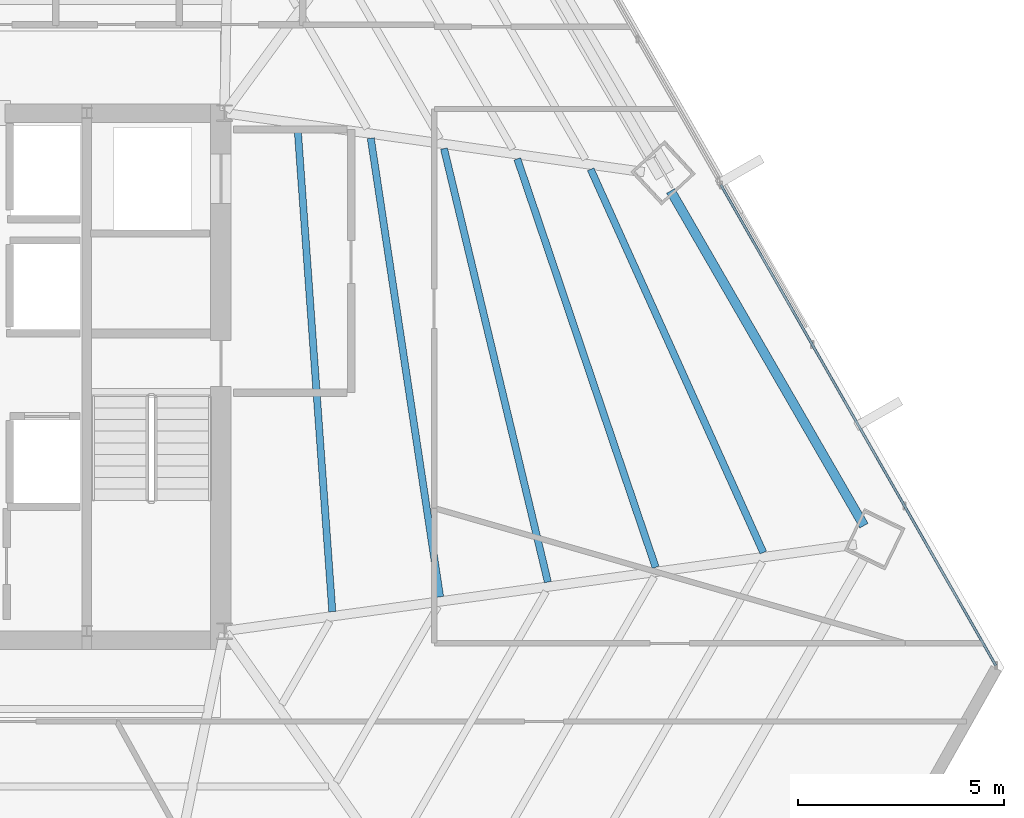
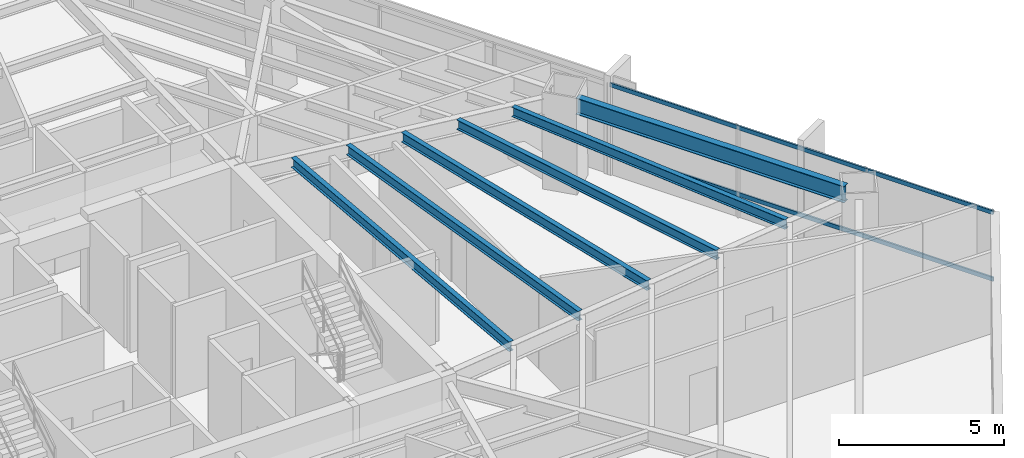
# One storey, part 20 of 35: 6 beams, 2 members, 1 element without a shape of its own.
"""IFC4 building model written with IfcOpenShell, lengths in metres."""

from ifc_helpers import new_model, si_unit, direction, frame, origin, origin_2d, place, context, subcontext, project, spatial, hollow_rectangle, i_section, extrude, source, transform, mapped, material, material_profile, profile_set, type_object, type_shapes, element, aggregate, save


model = new_model("IFC4")

# Units and contexts
model_context = context("Model", 3, precision=1e-05, world=origin(), true_north=direction((0.0, 1.0)))
body_context = subcontext(model_context, "Body", "Model", "MODEL_VIEW")
ifc_project = project(units=[si_unit("LENGTHUNIT", "METRE"), si_unit("AREAUNIT", "SQUARE_METRE"), si_unit("VOLUMEUNIT", "CUBIC_METRE"), si_unit("PLANEANGLEUNIT", "RADIAN"), si_unit("MASSUNIT", "GRAM", prefix="KILO")], contexts=[model_context])

# Site, building, storey
site_placement = place(None, origin())
site = spatial("IfcSite", under=ifc_project, at=site_placement, CompositionType="ELEMENT")
building_placement = place(site_placement, origin())
building = spatial("IfcBuilding", under=site, at=building_placement, Name="Caelisora Broadcast Tower", CompositionType="ELEMENT")
storey_placement = place(building_placement, frame((0.0, 0.0, 87.14990234375)))
storey = spatial("IfcBuildingStorey", under=building, at=storey_placement, Name="L22", CompositionType="ELEMENT", Elevation=87.14990234375)

# Beams
ifc_material_1 = material(Name="Steel Grade 350 (AS/NZS 3679.1)", Category="steel")
ifc_material_profile_1 = material_profile(ifc_material_1, i_section(OverallWidth=0.22900390625, OverallDepth=0.611572265625, WebThickness=0.011962890625, FlangeThickness=0.01953125, at=origin_2d()), Name="Steel Grade 350 (AS/NZS 3679.1)")
ifc_profile_set_1 = profile_set([ifc_material_profile_1], Name="Steel Grade 350 (AS/NZS 3679.1)")
beam_type_1 = type_object("IfcBeamType", Name="PG03", PredefinedType="BEAM", material=ifc_profile_set_1)
shared_shape_1 = source(origin(), body_context, "Body", "SweptSolid", [
    extrude(i_section(OverallWidth=0.22900390625, OverallDepth=0.611572265625, WebThickness=0.011962890625, FlangeThickness=0.01953125, at=origin_2d()), origin(), (0.0, 0.0, 1.0), 9.40234375),
])
type_shapes(beam_type_1, [shared_shape_1])
beam_1_placement = place(storey_placement, frame((61.055419921875, 19.96337890625, 3.09423828125), z_axis=(-0.500004164094, 0.86602299963, 0.0), x_axis=(-0.86602299963, -0.500004164094, 0.0)))
element("IfcBeam", 1, at=beam_1_placement, inside=storey, type_object=beam_type_1, Name="L22 beam PG03", PredefinedType="BEAM", context=body_context, shape_type="MappedRepresentation", body=[
    mapped(shared_shape_1, transform((0.0, 0.0, 0.0), scale=1.0)),
])
ifc_material_profile_2 = material_profile(ifc_material_1, i_section(OverallWidth=0.172119140625, OverallDepth=0.358642578125, WebThickness=0.008056640625, FlangeThickness=0.012939453125, at=origin_2d()), Name="Steel Grade 350 (AS/NZS 3679.1)")
ifc_profile_set_2 = profile_set([ifc_material_profile_2], Name="Steel Grade 350 (AS/NZS 3679.1)")
beam_type_2 = type_object("IfcBeamType", Name="SB02", PredefinedType="JOIST", material=ifc_profile_set_2)
shared_shape_2 = source(origin(), body_context, "Body", "SweptSolid", [
    extrude(i_section(OverallWidth=0.172119140625, OverallDepth=0.358642578125, WebThickness=0.008056640625, FlangeThickness=0.012939453125, at=origin_2d()), origin(), (0.0, 0.0, 1.0), 11.796142578125),
])
beam_2_placement = place(storey_placement, frame((48.122802734375, 17.87158203125, 3.220703125), z_axis=(-0.071548567503, 0.99743711706, 0.0), x_axis=(-0.99743711706, -0.071548567503, 0.0)))
element("IfcBeam", 2, at=beam_2_placement, inside=storey, type_object=beam_type_2, Name="L22 beam SB02", PredefinedType="JOIST", context=body_context, shape_type="MappedRepresentation", body=[
    mapped(shared_shape_2, transform((0.0, 0.0, 0.0), scale=1.0)),
])
shared_shape_3 = source(origin(), body_context, "Body", "SweptSolid", [
    extrude(i_section(OverallWidth=0.172119140625, OverallDepth=0.358642578125, WebThickness=0.008056640625, FlangeThickness=0.012939453125, at=origin_2d()), origin(), (0.0, 0.0, 1.0), 11.281982421875),
])
beam_3_placement = place(storey_placement, frame((50.7451171875, 18.2314453125, 3.220703125), z_axis=(-0.149487418819, 0.988763627777, 0.0), x_axis=(-0.988763627777, -0.149487418819, 0.0)))
element("IfcBeam", 3, at=beam_3_placement, inside=storey, type_object=beam_type_2, Name="L22 beam SB02", PredefinedType="JOIST", context=body_context, shape_type="MappedRepresentation", body=[
    mapped(shared_shape_3, transform((0.0, 0.0, 0.0), scale=1.0)),
])
shared_shape_4 = source(origin(), body_context, "Body", "SweptSolid", [
    extrude(i_section(OverallWidth=0.172119140625, OverallDepth=0.358642578125, WebThickness=0.008056640625, FlangeThickness=0.012939453125, at=origin_2d()), origin(), (0.0, 0.0, 1.0), 10.843505859375),
])
beam_4_placement = place(storey_placement, frame((53.36669921875, 18.591064453125, 3.220703125), z_axis=(-0.233030614105, 0.972469399462, 0.0), x_axis=(-0.972469399462, -0.233030614105, 0.0)))
element("IfcBeam", 4, at=beam_4_placement, inside=storey, type_object=beam_type_2, Name="L22 beam SB02", PredefinedType="JOIST", context=body_context, shape_type="MappedRepresentation", body=[
    mapped(shared_shape_4, transform((0.0, 0.0, 0.0), scale=1.0)),
])
shared_shape_5 = source(origin(), body_context, "Body", "SweptSolid", [
    extrude(i_section(OverallWidth=0.172119140625, OverallDepth=0.358642578125, WebThickness=0.008056640625, FlangeThickness=0.012939453125, at=origin_2d()), origin(), (0.0, 0.0, 1.0), 10.48876953125),
])
beam_5_placement = place(storey_placement, frame((55.9873046875, 18.950439453125, 3.220703125), z_axis=(-0.32076998699, 0.947157122893, 0.0), x_axis=(-0.947157122893, -0.32076998699, 0.0)))
element("IfcBeam", 5, at=beam_5_placement, inside=storey, type_object=beam_type_2, Name="L22 beam SB02", PredefinedType="JOIST", context=body_context, shape_type="MappedRepresentation", body=[
    mapped(shared_shape_5, transform((0.0, 0.0, 0.0), scale=1.0)),
])
shared_shape_6 = source(origin(), body_context, "Body", "SweptSolid", [
    extrude(i_section(OverallWidth=0.172119140625, OverallDepth=0.358642578125, WebThickness=0.008056640625, FlangeThickness=0.012939453125, at=origin_2d()), origin(), (0.0, 0.0, 1.0), 10.2255859375),
])
type_shapes(beam_type_2, [shared_shape_2, shared_shape_3, shared_shape_4, shared_shape_5, shared_shape_6])
beam_6_placement = place(storey_placement, frame((58.606689453125, 19.309814453125, 3.220703125), z_axis=(-0.410632699237, 0.911800847947, 0.0), x_axis=(-0.911800847947, -0.410632699237, 0.0)))
element("IfcBeam", 6, at=beam_6_placement, inside=storey, type_object=beam_type_2, Name="L22 beam SB02", PredefinedType="JOIST", context=body_context, shape_type="MappedRepresentation", body=[
    mapped(shared_shape_6, transform((0.0, 0.0, 0.0), scale=1.0)),
])

# Curtain wall, members
ifc_material_2 = material(Name="Unitised Aluminium and Low-E Glass Curtain Wall", Category="glass")
curtain_wall_type = type_object("IfcCurtainWallType", Name="CW-Z2", PredefinedType="NOTDEFINED", material=ifc_material_2)
curtain_wall_placement = place(storey_placement, origin())
curtain_wall = element("IfcCurtainWall", 7, at=curtain_wall_placement, inside=storey, type_object=curtain_wall_type, Name="L22 curtain wall CW-Z2", PredefinedType="NOTDEFINED")
ifc_material_3 = material(Name="Aluminium 6063-T6 Anodised Terracotta Bronze", Category="aluminium")
ifc_material_profile_3 = material_profile(ifc_material_3, hollow_rectangle(XDim=0.06005859375, YDim=0.14990234375, WallThickness=0.00341796875, at=origin_2d()), Name="Aluminium 6063-T6 Anodised Terracotta Bronze")
ifc_profile_set_3 = profile_set([ifc_material_profile_3], Name="Aluminium 6063-T6 Anodised Terracotta Bronze")
member_type = type_object("IfcMemberType", Name="CWT-02", PredefinedType="USERDEFINED", material=ifc_profile_set_3)
shared_shape_7 = source(origin(), body_context, "Body", "SweptSolid", [
    extrude(hollow_rectangle(XDim=0.06005859375, YDim=0.14990234375, WallThickness=0.00341796875, at=origin_2d()), origin(), (0.0, 0.0, 1.0), 13.472900390625),
])
type_shapes(member_type, [shared_shape_7])
member_1_placement = place(storey_placement, frame((57.57421875, 28.2529296875, 0.85009765625), z_axis=(0.496548694042, -0.868008867722, 0.0), x_axis=(0.868008867722, 0.496548694042, 0.0)))
member_1 = element("IfcMember", 8, at=member_1_placement, type_object=member_type, Name="L22-CW-B03 transom #1", ObjectType="TRANSOM", PredefinedType="USERDEFINED", context=body_context, shape_type="MappedRepresentation", body=[
    mapped(shared_shape_7, transform((0.0, 0.0, 0.0), scale=1.0)),
])
member_2_placement = place(storey_placement, frame((57.57421875, 28.2529296875, 3.320068359375), z_axis=(0.496548694042, -0.868008867722, 0.0), x_axis=(0.868008867722, 0.496548694042, 0.0)))
member_2 = element("IfcMember", 9, at=member_2_placement, type_object=member_type, Name="L22-CW-B03 transom #2", ObjectType="TRANSOM", PredefinedType="USERDEFINED", context=body_context, shape_type="MappedRepresentation", body=[
    mapped(shared_shape_7, transform((0.0, 0.0, 0.0), scale=1.0)),
])
aggregate(curtain_wall, [member_1, member_2])

save(model, "model.ifc")
